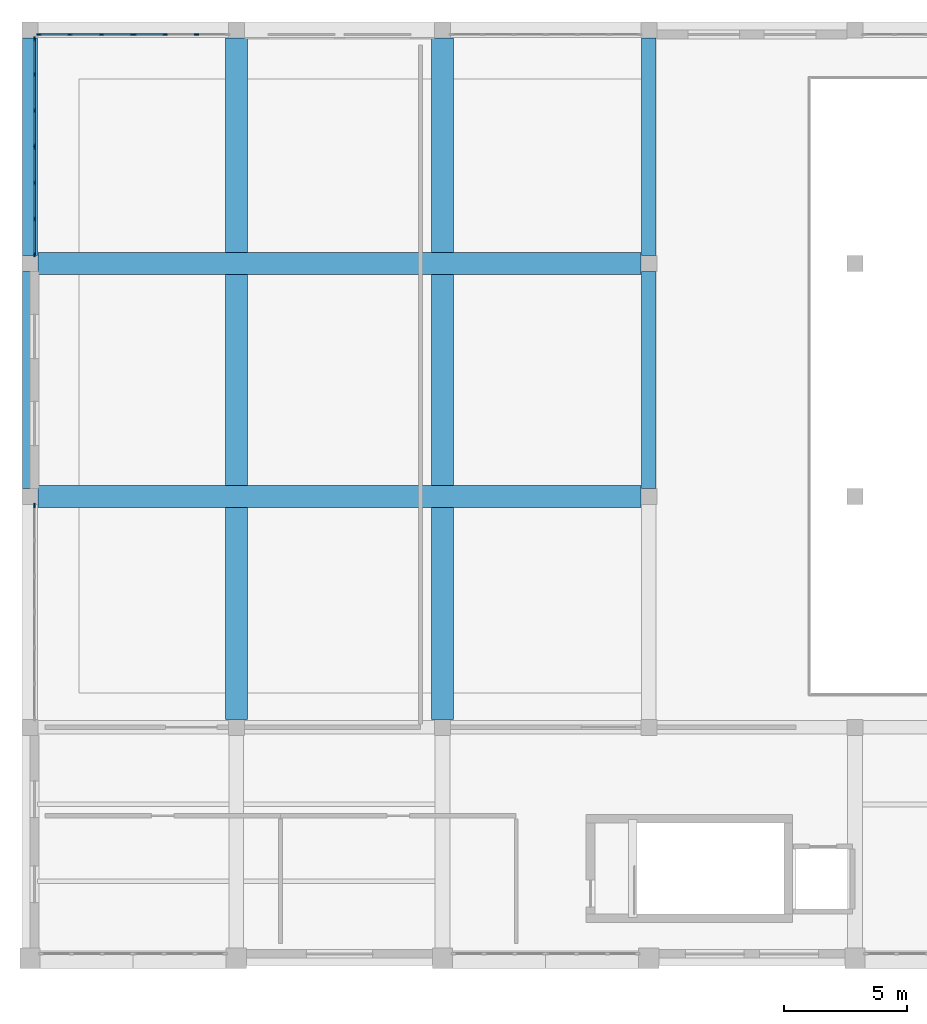
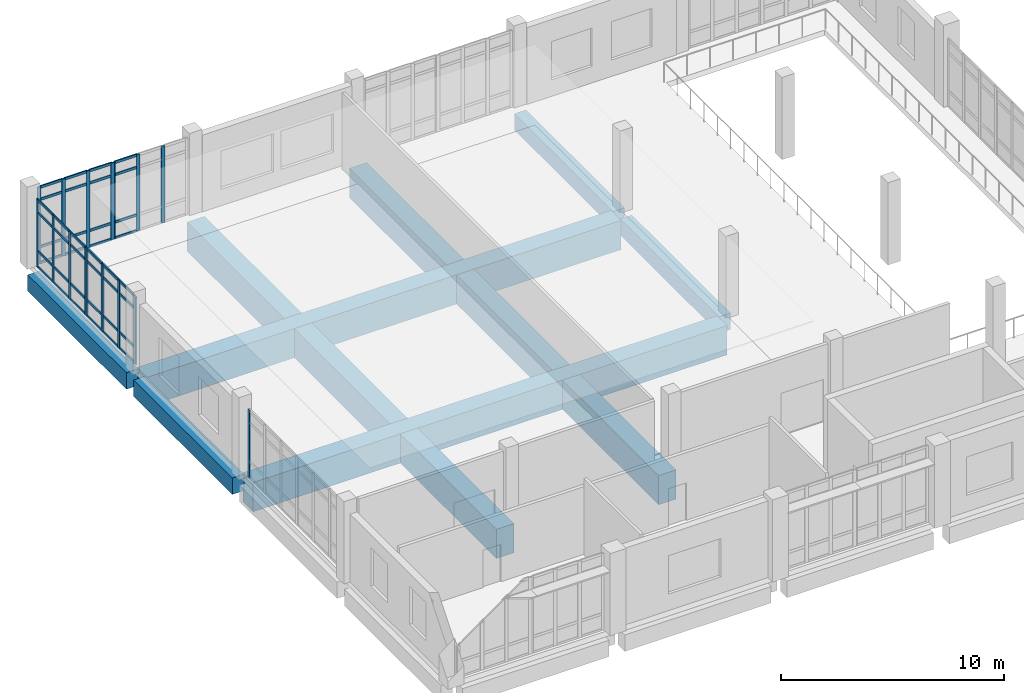
# One storey, part 16 of 54: 56 members, 8 beams, 5 elements without a shape of their own.
"""IFC4 building model written with IfcOpenShell, lengths in metres."""

from ifc_helpers import new_model, si_unit, direction, frame, origin, origin_2d, place, context, subcontext, project, spatial, rectangle, extrude, material, layer, layer_set, material_profile, profile_set, type_object, element, aggregate, save


model = new_model("IFC4")

# Units and contexts
model_context = context("Model", 3, precision=1e-05, world=origin(), true_north=direction((0.0, 1.0)))
body_context = subcontext(model_context, "Body", "Model", "MODEL_VIEW")
ifc_project = project(units=[si_unit("LENGTHUNIT", "METRE"), si_unit("AREAUNIT", "SQUARE_METRE"), si_unit("VOLUMEUNIT", "CUBIC_METRE"), si_unit("PLANEANGLEUNIT", "RADIAN"), si_unit("MASSUNIT", "GRAM", prefix="KILO")], contexts=[model_context])

# Site, building, storey
site_placement = place(None, origin())
site = spatial("IfcSite", under=ifc_project, at=site_placement, CompositionType="ELEMENT")
building_placement = place(site_placement, origin())
building = spatial("IfcBuilding", under=site, at=building_placement, Name="Kelarvand Opera House", CompositionType="ELEMENT")
storey_placement = place(building_placement, frame((0.0, 0.0, 15.0)))
storey = spatial("IfcBuildingStorey", under=building, at=storey_placement, Name="L03", CompositionType="ELEMENT", Elevation=15.0)

# Curtain wall, members
ifc_material_1 = material(Name="Thermally broken aluminium and low-E glazing", Category="aluminium")
ifc_layer_1 = layer(ifc_material_1, 0.179931640625, Name="Thermally broken aluminium and low-E glazing", Category="aluminium")
ifc_layer_set_1 = layer_set([ifc_layer_1], Name="Thermally broken aluminium and low-E glazing")
curtain_wall_type_1 = type_object("IfcCurtainWallType", Name="Unitised Low-E Curtain Wall 3861x4200 Mod 1350 CWF-12", PredefinedType="USERDEFINED", material=ifc_layer_set_1)
curtain_wall_1_placement = place(storey_placement, origin())
curtain_wall_1 = element("IfcCurtainWall", 1, at=curtain_wall_1_placement, inside=storey, type_object=curtain_wall_type_1, Name="V3 L03 Curtain Wall CWF-12 (91)", ObjectType="UNITISED CURTAIN WALL", PredefinedType="USERDEFINED")
ifc_material_2 = material(Name="Thermally broken anodised aluminium", Category="aluminium")
ifc_material_profile_1 = material_profile(ifc_material_2, rectangle(XDim=0.06494140625, YDim=0.179931640625, at=origin_2d()), Name="ALU MULLION 65x180", Category="aluminium")
ifc_profile_set_1 = profile_set([ifc_material_profile_1], Name="Thermally broken anodised aluminium")
member_type_1 = type_object("IfcMemberType", Name="Curtain Wall Mullion 65x180 Aluminium", PredefinedType="MULLION", material=ifc_profile_set_1)
member_1_placement = place(storey_placement, frame((9.367431640625, 124.820068359375, 0.0), z_axis=(0.0, 0.0, 1.0), x_axis=(0.0, 1.0, 0.0)))
member_1 = element("IfcMember", 2, at=member_1_placement, type_object=member_type_1, Name="CWF-12 mullion 1", PredefinedType="MULLION", context=body_context, shape_type="SweptSolid", body=[
    extrude(rectangle(XDim=0.06494140625, YDim=0.179931640625, at=origin_2d()), origin(), (0.0, 0.0, 1.0), 4.199951171875),
])
member_2_placement = place(storey_placement, frame((10.6220703125, 124.820068359375, 0.0), z_axis=(0.0, 0.0, 1.0), x_axis=(0.0, 1.0, 0.0)))
member_2 = element("IfcMember", 3, at=member_2_placement, type_object=member_type_1, Name="CWF-12 mullion 2", PredefinedType="MULLION", context=body_context, shape_type="SweptSolid", body=[
    extrude(rectangle(XDim=0.06494140625, YDim=0.179931640625, at=origin_2d()), origin(), (0.0, 0.0, 1.0), 4.199951171875),
])
member_3_placement = place(storey_placement, frame((11.908935546875, 124.820068359375, 0.0), z_axis=(0.0, 0.0, 1.0), x_axis=(0.0, 1.0, 0.0)))
member_3 = element("IfcMember", 4, at=member_3_placement, type_object=member_type_1, Name="CWF-12 mullion 3", PredefinedType="MULLION", context=body_context, shape_type="SweptSolid", body=[
    extrude(rectangle(XDim=0.06494140625, YDim=0.179931640625, at=origin_2d()), origin(), (0.0, 0.0, 1.0), 4.199951171875),
])
member_4_placement = place(storey_placement, frame((13.16357421875, 124.820068359375, 0.0), z_axis=(0.0, 0.0, 1.0), x_axis=(0.0, 1.0, 0.0)))
member_4 = element("IfcMember", 5, at=member_4_placement, type_object=member_type_1, Name="CWF-12 mullion 4", PredefinedType="MULLION", context=body_context, shape_type="SweptSolid", body=[
    extrude(rectangle(XDim=0.06494140625, YDim=0.179931640625, at=origin_2d()), origin(), (0.0, 0.0, 1.0), 4.199951171875),
])

curtain_wall_2_placement = place(storey_placement, origin())
curtain_wall_2 = element("IfcCurtainWall", 6, at=curtain_wall_2_placement, inside=storey, type_object=curtain_wall_type_1, Name="V3 L03 Curtain Wall CWF-12 (92)", ObjectType="UNITISED CURTAIN WALL", PredefinedType="USERDEFINED")
member_5_placement = place(storey_placement, frame((13.232421875, 124.820068359375, 0.0), z_axis=(0.0, 0.0, 1.0), x_axis=(0.0, 1.0, 0.0)))
member_5 = element("IfcMember", 7, at=member_5_placement, type_object=member_type_1, Name="CWF-12 mullion 1", PredefinedType="MULLION", context=body_context, shape_type="SweptSolid", body=[
    extrude(rectangle(XDim=0.06494140625, YDim=0.179931640625, at=origin_2d()), origin(), (0.0, 0.0, 1.0), 4.199951171875),
])
member_6_placement = place(storey_placement, frame((14.48828125, 124.820068359375, 0.0), z_axis=(0.0, 0.0, 1.0), x_axis=(0.0, 1.0, 0.0)))
member_6 = element("IfcMember", 8, at=member_6_placement, type_object=member_type_1, Name="CWF-12 mullion 2", PredefinedType="MULLION", context=body_context, shape_type="SweptSolid", body=[
    extrude(rectangle(XDim=0.06494140625, YDim=0.179931640625, at=origin_2d()), origin(), (0.0, 0.0, 1.0), 4.199951171875),
])
member_7_placement = place(storey_placement, frame((15.776611328125, 124.820068359375, 0.0), z_axis=(0.0, 0.0, 1.0), x_axis=(0.0, 1.0, 0.0)))
member_7 = element("IfcMember", 9, at=member_7_placement, type_object=member_type_1, Name="CWF-12 mullion 3", PredefinedType="MULLION", context=body_context, shape_type="SweptSolid", body=[
    extrude(rectangle(XDim=0.06494140625, YDim=0.179931640625, at=origin_2d()), origin(), (0.0, 0.0, 1.0), 4.199951171875),
])

# Curtain wall, member
ifc_layer_2 = layer(ifc_material_1, 0.179931640625, Name="Thermally broken aluminium and low-E glazing", Category="aluminium")
ifc_layer_set_2 = layer_set([ifc_layer_2], Name="Thermally broken aluminium and low-E glazing")
curtain_wall_type_2 = type_object("IfcCurtainWallType", Name="Unitised Low-E Curtain Wall 4326x3717 Mod 1350 CWF-20", PredefinedType="USERDEFINED", material=ifc_layer_set_2)
curtain_wall_3_placement = place(storey_placement, origin())
curtain_wall_3 = element("IfcCurtainWall", 10, at=curtain_wall_3_placement, inside=storey, type_object=curtain_wall_type_2, Name="V3 L03 Curtain Wall CWF-20 (98)", ObjectType="UNITISED CURTAIN WALL", PredefinedType="USERDEFINED")
member_8_placement = place(storey_placement, frame((9.179931640625, 105.632568359375, 0.0), z_axis=(0.0, 0.0, 1.0), x_axis=(-1.0, 0.0, 0.0)))
member_8 = element("IfcMember", 11, at=member_8_placement, type_object=member_type_1, Name="CWF-20 mullion 4", PredefinedType="MULLION", context=body_context, shape_type="SweptSolid", body=[
    extrude(rectangle(XDim=0.06494140625, YDim=0.179931640625, at=origin_2d()), origin(), (0.0, 0.0, 1.0), 3.71728515625),
])
aggregate(curtain_wall_3, [member_8])

# Curtain wall, members
ifc_layer_3 = layer(ifc_material_1, 0.179931640625, Name="Thermally broken aluminium and low-E glazing", Category="aluminium")
ifc_layer_set_3 = layer_set([ifc_layer_3], Name="Thermally broken aluminium and low-E glazing")
curtain_wall_type_3 = type_object("IfcCurtainWallType", Name="Unitised Low-E Curtain Wall 4411x3717 Mod 1350 CWF-22", PredefinedType="USERDEFINED", material=ifc_layer_set_3)
curtain_wall_4_placement = place(storey_placement, origin())
curtain_wall_4 = element("IfcCurtainWall", 12, at=curtain_wall_4_placement, inside=storey, type_object=curtain_wall_type_3, Name="V3 L03 Curtain Wall CWF-22 (99)", ObjectType="UNITISED CURTAIN WALL", PredefinedType="USERDEFINED")
member_9_placement = place(storey_placement, frame((9.179931640625, 115.867431640625, 0.0), z_axis=(0.0, 0.0, 1.0), x_axis=(-1.0, 0.0, 0.0)))
member_9 = element("IfcMember", 13, at=member_9_placement, type_object=member_type_1, Name="CWF-22 mullion 1", PredefinedType="MULLION", context=body_context, shape_type="SweptSolid", body=[
    extrude(rectangle(XDim=0.06494140625, YDim=0.179931640625, at=origin_2d()), origin(), (0.0, 0.0, 1.0), 3.71728515625),
])
member_10_placement = place(storey_placement, frame((9.179931640625, 117.305419921875, 0.0), z_axis=(0.0, 0.0, 1.0), x_axis=(-1.0, 0.0, 0.0)))
member_10 = element("IfcMember", 14, at=member_10_placement, type_object=member_type_1, Name="CWF-22 mullion 2", PredefinedType="MULLION", context=body_context, shape_type="SweptSolid", body=[
    extrude(rectangle(XDim=0.06494140625, YDim=0.179931640625, at=origin_2d()), origin(), (0.0, 0.0, 1.0), 3.71728515625),
])
member_11_placement = place(storey_placement, frame((9.179931640625, 118.775634765625, 0.0), z_axis=(0.0, 0.0, 1.0), x_axis=(-1.0, 0.0, 0.0)))
member_11 = element("IfcMember", 15, at=member_11_placement, type_object=member_type_1, Name="CWF-22 mullion 3", PredefinedType="MULLION", context=body_context, shape_type="SweptSolid", body=[
    extrude(rectangle(XDim=0.06494140625, YDim=0.179931640625, at=origin_2d()), origin(), (0.0, 0.0, 1.0), 3.71728515625),
])
member_12_placement = place(storey_placement, frame((9.179931640625, 120.21337890625, 0.0), z_axis=(0.0, 0.0, 1.0), x_axis=(-1.0, 0.0, 0.0)))
member_12 = element("IfcMember", 16, at=member_12_placement, type_object=member_type_1, Name="CWF-22 mullion 4", PredefinedType="MULLION", context=body_context, shape_type="SweptSolid", body=[
    extrude(rectangle(XDim=0.06494140625, YDim=0.179931640625, at=origin_2d()), origin(), (0.0, 0.0, 1.0), 3.71728515625),
])

curtain_wall_5_placement = place(storey_placement, origin())
curtain_wall_5 = element("IfcCurtainWall", 17, at=curtain_wall_5_placement, inside=storey, type_object=curtain_wall_type_3, Name="V3 L03 Curtain Wall CWF-22 (100)", ObjectType="UNITISED CURTAIN WALL", PredefinedType="USERDEFINED")
member_13_placement = place(storey_placement, frame((9.179931640625, 120.282470703125, 0.0), z_axis=(0.0, 0.0, 1.0), x_axis=(-1.0, 0.0, 0.0)))
member_13 = element("IfcMember", 18, at=member_13_placement, type_object=member_type_1, Name="CWF-22 mullion 1", PredefinedType="MULLION", context=body_context, shape_type="SweptSolid", body=[
    extrude(rectangle(XDim=0.06494140625, YDim=0.179931640625, at=origin_2d()), origin(), (0.0, 0.0, 1.0), 3.71728515625),
])
member_14_placement = place(storey_placement, frame((9.179931640625, 121.7216796875, 0.0), z_axis=(0.0, 0.0, 1.0), x_axis=(-1.0, 0.0, 0.0)))
member_14 = element("IfcMember", 19, at=member_14_placement, type_object=member_type_1, Name="CWF-22 mullion 2", PredefinedType="MULLION", context=body_context, shape_type="SweptSolid", body=[
    extrude(rectangle(XDim=0.06494140625, YDim=0.179931640625, at=origin_2d()), origin(), (0.0, 0.0, 1.0), 3.71728515625),
])
member_15_placement = place(storey_placement, frame((9.179931640625, 123.193359375, 0.0), z_axis=(0.0, 0.0, 1.0), x_axis=(-1.0, 0.0, 0.0)))
member_15 = element("IfcMember", 20, at=member_15_placement, type_object=member_type_1, Name="CWF-22 mullion 3", PredefinedType="MULLION", context=body_context, shape_type="SweptSolid", body=[
    extrude(rectangle(XDim=0.06494140625, YDim=0.179931640625, at=origin_2d()), origin(), (0.0, 0.0, 1.0), 3.71728515625),
])
member_16_placement = place(storey_placement, frame((9.179931640625, 124.632568359375, 0.0), z_axis=(0.0, 0.0, 1.0), x_axis=(-1.0, 0.0, 0.0)))
member_16 = element("IfcMember", 21, at=member_16_placement, type_object=member_type_1, Name="CWF-22 mullion 4", PredefinedType="MULLION", context=body_context, shape_type="SweptSolid", body=[
    extrude(rectangle(XDim=0.06494140625, YDim=0.179931640625, at=origin_2d()), origin(), (0.0, 0.0, 1.0), 3.71728515625),
])

# Member
ifc_material_profile_2 = material_profile(ifc_material_2, rectangle(XDim=0.06494140625, YDim=0.139892578125, at=origin_2d()), Name="ALU TRANSOM 65x140", Category="aluminium")
ifc_profile_set_2 = profile_set([ifc_material_profile_2], Name="Thermally broken anodised aluminium")
member_type_2 = type_object("IfcMemberType", Name="Curtain Wall Transom 65x140 Aluminium", PredefinedType="USERDEFINED", material=ifc_profile_set_2)
member_17_placement = place(storey_placement, frame((9.39990234375, 124.820068359375, 0.032470703125), z_axis=(1.0, 0.0, 0.0), x_axis=(0.0, 1.0, 0.0)))
member_17 = element("IfcMember", 22, at=member_17_placement, type_object=member_type_2, Name="CWF-12 transom 1.1", ObjectType="TRANSOM", PredefinedType="USERDEFINED", context=body_context, shape_type="SweptSolid", body=[
    extrude(rectangle(XDim=0.06494140625, YDim=0.139892578125, at=origin_2d()), origin(), (0.0, 0.0, 1.0), 1.189697265625),
])

member_18_placement = place(storey_placement, frame((9.39990234375, 124.820068359375, 0.89990234375), z_axis=(1.0, 0.0, 0.0), x_axis=(0.0, 1.0, 0.0)))
member_18 = element("IfcMember", 23, at=member_18_placement, type_object=member_type_2, Name="CWF-12 transom 1.2", ObjectType="TRANSOM", PredefinedType="USERDEFINED", context=body_context, shape_type="SweptSolid", body=[
    extrude(rectangle(XDim=0.06494140625, YDim=0.139892578125, at=origin_2d()), origin(), (0.0, 0.0, 1.0), 1.189697265625),
])

member_19_placement = place(storey_placement, frame((9.39990234375, 124.820068359375, 3.5), z_axis=(1.0, 0.0, 0.0), x_axis=(0.0, 1.0, 0.0)))
member_19 = element("IfcMember", 24, at=member_19_placement, type_object=member_type_2, Name="CWF-12 transom 1.3", ObjectType="TRANSOM", PredefinedType="USERDEFINED", context=body_context, shape_type="SweptSolid", body=[
    extrude(rectangle(XDim=0.06494140625, YDim=0.139892578125, at=origin_2d()), origin(), (0.0, 0.0, 1.0), 1.189697265625),
])

member_20_placement = place(storey_placement, frame((9.39990234375, 124.820068359375, 4.16748046875), z_axis=(1.0, 0.0, 0.0), x_axis=(0.0, 1.0, 0.0)))
member_20 = element("IfcMember", 25, at=member_20_placement, type_object=member_type_2, Name="CWF-12 transom 1.4", ObjectType="TRANSOM", PredefinedType="USERDEFINED", context=body_context, shape_type="SweptSolid", body=[
    extrude(rectangle(XDim=0.06494140625, YDim=0.139892578125, at=origin_2d()), origin(), (0.0, 0.0, 1.0), 1.189697265625),
])

member_21_placement = place(storey_placement, frame((10.654541015625, 124.820068359375, 0.032470703125), z_axis=(1.0, 0.0, 0.0), x_axis=(0.0, 1.0, 0.0)))
member_21 = element("IfcMember", 26, at=member_21_placement, type_object=member_type_2, Name="CWF-12 transom 2.1", ObjectType="TRANSOM", PredefinedType="USERDEFINED", context=body_context, shape_type="SweptSolid", body=[
    extrude(rectangle(XDim=0.06494140625, YDim=0.139892578125, at=origin_2d()), origin(), (0.0, 0.0, 1.0), 1.221923828125),
])

member_22_placement = place(storey_placement, frame((10.654541015625, 124.820068359375, 0.89990234375), z_axis=(1.0, 0.0, 0.0), x_axis=(0.0, 1.0, 0.0)))
member_22 = element("IfcMember", 27, at=member_22_placement, type_object=member_type_2, Name="CWF-12 transom 2.2", ObjectType="TRANSOM", PredefinedType="USERDEFINED", context=body_context, shape_type="SweptSolid", body=[
    extrude(rectangle(XDim=0.06494140625, YDim=0.139892578125, at=origin_2d()), origin(), (0.0, 0.0, 1.0), 1.221923828125),
])

member_23_placement = place(storey_placement, frame((10.654541015625, 124.820068359375, 3.5), z_axis=(1.0, 0.0, 0.0), x_axis=(0.0, 1.0, 0.0)))
member_23 = element("IfcMember", 28, at=member_23_placement, type_object=member_type_2, Name="CWF-12 transom 2.3", ObjectType="TRANSOM", PredefinedType="USERDEFINED", context=body_context, shape_type="SweptSolid", body=[
    extrude(rectangle(XDim=0.06494140625, YDim=0.139892578125, at=origin_2d()), origin(), (0.0, 0.0, 1.0), 1.221923828125),
])

member_24_placement = place(storey_placement, frame((10.654541015625, 124.820068359375, 4.16748046875), z_axis=(1.0, 0.0, 0.0), x_axis=(0.0, 1.0, 0.0)))
member_24 = element("IfcMember", 29, at=member_24_placement, type_object=member_type_2, Name="CWF-12 transom 2.4", ObjectType="TRANSOM", PredefinedType="USERDEFINED", context=body_context, shape_type="SweptSolid", body=[
    extrude(rectangle(XDim=0.06494140625, YDim=0.139892578125, at=origin_2d()), origin(), (0.0, 0.0, 1.0), 1.221923828125),
])

member_25_placement = place(storey_placement, frame((11.94140625, 124.820068359375, 0.032470703125), z_axis=(1.0, 0.0, 0.0), x_axis=(0.0, 1.0, 0.0)))
member_25 = element("IfcMember", 30, at=member_25_placement, type_object=member_type_2, Name="CWF-12 transom 3.1", ObjectType="TRANSOM", PredefinedType="USERDEFINED", context=body_context, shape_type="SweptSolid", body=[
    extrude(rectangle(XDim=0.06494140625, YDim=0.139892578125, at=origin_2d()), origin(), (0.0, 0.0, 1.0), 1.189697265625),
])

member_26_placement = place(storey_placement, frame((11.94140625, 124.820068359375, 0.89990234375), z_axis=(1.0, 0.0, 0.0), x_axis=(0.0, 1.0, 0.0)))
member_26 = element("IfcMember", 31, at=member_26_placement, type_object=member_type_2, Name="CWF-12 transom 3.2", ObjectType="TRANSOM", PredefinedType="USERDEFINED", context=body_context, shape_type="SweptSolid", body=[
    extrude(rectangle(XDim=0.06494140625, YDim=0.139892578125, at=origin_2d()), origin(), (0.0, 0.0, 1.0), 1.189697265625),
])

member_27_placement = place(storey_placement, frame((11.94140625, 124.820068359375, 3.5), z_axis=(1.0, 0.0, 0.0), x_axis=(0.0, 1.0, 0.0)))
member_27 = element("IfcMember", 32, at=member_27_placement, type_object=member_type_2, Name="CWF-12 transom 3.3", ObjectType="TRANSOM", PredefinedType="USERDEFINED", context=body_context, shape_type="SweptSolid", body=[
    extrude(rectangle(XDim=0.06494140625, YDim=0.139892578125, at=origin_2d()), origin(), (0.0, 0.0, 1.0), 1.189697265625),
])

member_28_placement = place(storey_placement, frame((11.94140625, 124.820068359375, 4.16748046875), z_axis=(1.0, 0.0, 0.0), x_axis=(0.0, 1.0, 0.0)))
member_28 = element("IfcMember", 33, at=member_28_placement, type_object=member_type_2, Name="CWF-12 transom 3.4", ObjectType="TRANSOM", PredefinedType="USERDEFINED", context=body_context, shape_type="SweptSolid", body=[
    extrude(rectangle(XDim=0.06494140625, YDim=0.139892578125, at=origin_2d()), origin(), (0.0, 0.0, 1.0), 1.189697265625),
])

aggregate(curtain_wall_1, [member_1, member_2, member_3, member_4, member_17, member_18, member_19, member_20, member_21, member_22, member_23, member_24, member_25, member_26, member_27, member_28])

member_29_placement = place(storey_placement, frame((13.264892578125, 124.820068359375, 0.032470703125), z_axis=(1.0, 0.0, 0.0), x_axis=(0.0, 1.0, 0.0)))
member_29 = element("IfcMember", 34, at=member_29_placement, type_object=member_type_2, Name="CWF-12 transom 1.1", ObjectType="TRANSOM", PredefinedType="USERDEFINED", context=body_context, shape_type="SweptSolid", body=[
    extrude(rectangle(XDim=0.06494140625, YDim=0.139892578125, at=origin_2d()), origin(), (0.0, 0.0, 1.0), 1.19091796875),
])

member_30_placement = place(storey_placement, frame((13.264892578125, 124.820068359375, 0.89990234375), z_axis=(1.0, 0.0, 0.0), x_axis=(0.0, 1.0, 0.0)))
member_30 = element("IfcMember", 35, at=member_30_placement, type_object=member_type_2, Name="CWF-12 transom 1.2", ObjectType="TRANSOM", PredefinedType="USERDEFINED", context=body_context, shape_type="SweptSolid", body=[
    extrude(rectangle(XDim=0.06494140625, YDim=0.139892578125, at=origin_2d()), origin(), (0.0, 0.0, 1.0), 1.19091796875),
])

member_31_placement = place(storey_placement, frame((13.264892578125, 124.820068359375, 3.5), z_axis=(1.0, 0.0, 0.0), x_axis=(0.0, 1.0, 0.0)))
member_31 = element("IfcMember", 36, at=member_31_placement, type_object=member_type_2, Name="CWF-12 transom 1.3", ObjectType="TRANSOM", PredefinedType="USERDEFINED", context=body_context, shape_type="SweptSolid", body=[
    extrude(rectangle(XDim=0.06494140625, YDim=0.139892578125, at=origin_2d()), origin(), (0.0, 0.0, 1.0), 1.19091796875),
])

member_32_placement = place(storey_placement, frame((13.264892578125, 124.820068359375, 4.16748046875), z_axis=(1.0, 0.0, 0.0), x_axis=(0.0, 1.0, 0.0)))
member_32 = element("IfcMember", 37, at=member_32_placement, type_object=member_type_2, Name="CWF-12 transom 1.4", ObjectType="TRANSOM", PredefinedType="USERDEFINED", context=body_context, shape_type="SweptSolid", body=[
    extrude(rectangle(XDim=0.06494140625, YDim=0.139892578125, at=origin_2d()), origin(), (0.0, 0.0, 1.0), 1.19091796875),
])

aggregate(curtain_wall_2, [member_5, member_6, member_7, member_29, member_30, member_31, member_32])

member_33_placement = place(storey_placement, frame((9.179931640625, 115.89990234375, 0.032470703125), z_axis=(0.0, 1.0, 0.0), x_axis=(-1.0, 0.0, 0.0)))
member_33 = element("IfcMember", 38, at=member_33_placement, type_object=member_type_2, Name="CWF-22 transom 1.1", ObjectType="TRANSOM", PredefinedType="USERDEFINED", context=body_context, shape_type="SweptSolid", body=[
    extrude(rectangle(XDim=0.06494140625, YDim=0.139892578125, at=origin_2d()), origin(), (0.0, 0.0, 1.0), 1.373046875),
])

member_34_placement = place(storey_placement, frame((9.179931640625, 115.89990234375, 0.89990234375), z_axis=(0.0, 1.0, 0.0), x_axis=(-1.0, 0.0, 0.0)))
member_34 = element("IfcMember", 39, at=member_34_placement, type_object=member_type_2, Name="CWF-22 transom 1.2", ObjectType="TRANSOM", PredefinedType="USERDEFINED", context=body_context, shape_type="SweptSolid", body=[
    extrude(rectangle(XDim=0.06494140625, YDim=0.139892578125, at=origin_2d()), origin(), (0.0, 0.0, 1.0), 1.373046875),
])

member_35_placement = place(storey_placement, frame((9.179931640625, 115.89990234375, 3.01708984375), z_axis=(0.0, 1.0, 0.0), x_axis=(-1.0, 0.0, 0.0)))
member_35 = element("IfcMember", 40, at=member_35_placement, type_object=member_type_2, Name="CWF-22 transom 1.3", ObjectType="TRANSOM", PredefinedType="USERDEFINED", context=body_context, shape_type="SweptSolid", body=[
    extrude(rectangle(XDim=0.06494140625, YDim=0.139892578125, at=origin_2d()), origin(), (0.0, 0.0, 1.0), 1.373046875),
])

member_36_placement = place(storey_placement, frame((9.179931640625, 115.89990234375, 3.684814453125), z_axis=(0.0, 1.0, 0.0), x_axis=(-1.0, 0.0, 0.0)))
member_36 = element("IfcMember", 41, at=member_36_placement, type_object=member_type_2, Name="CWF-22 transom 1.4", ObjectType="TRANSOM", PredefinedType="USERDEFINED", context=body_context, shape_type="SweptSolid", body=[
    extrude(rectangle(XDim=0.06494140625, YDim=0.139892578125, at=origin_2d()), origin(), (0.0, 0.0, 1.0), 1.373046875),
])

member_37_placement = place(storey_placement, frame((9.179931640625, 117.337890625, 0.032470703125), z_axis=(0.0, 1.0, 0.0), x_axis=(-1.0, 0.0, 0.0)))
member_37 = element("IfcMember", 42, at=member_37_placement, type_object=member_type_2, Name="CWF-22 transom 2.1", ObjectType="TRANSOM", PredefinedType="USERDEFINED", context=body_context, shape_type="SweptSolid", body=[
    extrude(rectangle(XDim=0.06494140625, YDim=0.139892578125, at=origin_2d()), origin(), (0.0, 0.0, 1.0), 1.4052734375),
])

member_38_placement = place(storey_placement, frame((9.179931640625, 117.337890625, 0.89990234375), z_axis=(0.0, 1.0, 0.0), x_axis=(-1.0, 0.0, 0.0)))
member_38 = element("IfcMember", 43, at=member_38_placement, type_object=member_type_2, Name="CWF-22 transom 2.2", ObjectType="TRANSOM", PredefinedType="USERDEFINED", context=body_context, shape_type="SweptSolid", body=[
    extrude(rectangle(XDim=0.06494140625, YDim=0.139892578125, at=origin_2d()), origin(), (0.0, 0.0, 1.0), 1.4052734375),
])

member_39_placement = place(storey_placement, frame((9.179931640625, 117.337890625, 3.01708984375), z_axis=(0.0, 1.0, 0.0), x_axis=(-1.0, 0.0, 0.0)))
member_39 = element("IfcMember", 44, at=member_39_placement, type_object=member_type_2, Name="CWF-22 transom 2.3", ObjectType="TRANSOM", PredefinedType="USERDEFINED", context=body_context, shape_type="SweptSolid", body=[
    extrude(rectangle(XDim=0.06494140625, YDim=0.139892578125, at=origin_2d()), origin(), (0.0, 0.0, 1.0), 1.4052734375),
])

member_40_placement = place(storey_placement, frame((9.179931640625, 117.337890625, 3.684814453125), z_axis=(0.0, 1.0, 0.0), x_axis=(-1.0, 0.0, 0.0)))
member_40 = element("IfcMember", 45, at=member_40_placement, type_object=member_type_2, Name="CWF-22 transom 2.4", ObjectType="TRANSOM", PredefinedType="USERDEFINED", context=body_context, shape_type="SweptSolid", body=[
    extrude(rectangle(XDim=0.06494140625, YDim=0.139892578125, at=origin_2d()), origin(), (0.0, 0.0, 1.0), 1.4052734375),
])

member_41_placement = place(storey_placement, frame((9.179931640625, 118.80810546875, 0.032470703125), z_axis=(0.0, 1.0, 0.0), x_axis=(-1.0, 0.0, 0.0)))
member_41 = element("IfcMember", 46, at=member_41_placement, type_object=member_type_2, Name="CWF-22 transom 3.1", ObjectType="TRANSOM", PredefinedType="USERDEFINED", context=body_context, shape_type="SweptSolid", body=[
    extrude(rectangle(XDim=0.06494140625, YDim=0.139892578125, at=origin_2d()), origin(), (0.0, 0.0, 1.0), 1.372802734375),
])

member_42_placement = place(storey_placement, frame((9.179931640625, 118.80810546875, 0.89990234375), z_axis=(0.0, 1.0, 0.0), x_axis=(-1.0, 0.0, 0.0)))
member_42 = element("IfcMember", 47, at=member_42_placement, type_object=member_type_2, Name="CWF-22 transom 3.2", ObjectType="TRANSOM", PredefinedType="USERDEFINED", context=body_context, shape_type="SweptSolid", body=[
    extrude(rectangle(XDim=0.06494140625, YDim=0.139892578125, at=origin_2d()), origin(), (0.0, 0.0, 1.0), 1.372802734375),
])

member_43_placement = place(storey_placement, frame((9.179931640625, 118.80810546875, 3.01708984375), z_axis=(0.0, 1.0, 0.0), x_axis=(-1.0, 0.0, 0.0)))
member_43 = element("IfcMember", 48, at=member_43_placement, type_object=member_type_2, Name="CWF-22 transom 3.3", ObjectType="TRANSOM", PredefinedType="USERDEFINED", context=body_context, shape_type="SweptSolid", body=[
    extrude(rectangle(XDim=0.06494140625, YDim=0.139892578125, at=origin_2d()), origin(), (0.0, 0.0, 1.0), 1.372802734375),
])

member_44_placement = place(storey_placement, frame((9.179931640625, 118.80810546875, 3.684814453125), z_axis=(0.0, 1.0, 0.0), x_axis=(-1.0, 0.0, 0.0)))
member_44 = element("IfcMember", 49, at=member_44_placement, type_object=member_type_2, Name="CWF-22 transom 3.4", ObjectType="TRANSOM", PredefinedType="USERDEFINED", context=body_context, shape_type="SweptSolid", body=[
    extrude(rectangle(XDim=0.06494140625, YDim=0.139892578125, at=origin_2d()), origin(), (0.0, 0.0, 1.0), 1.372802734375),
])

aggregate(curtain_wall_4, [member_9, member_10, member_11, member_12, member_33, member_34, member_35, member_36, member_37, member_38, member_39, member_40, member_41, member_42, member_43, member_44])

member_45_placement = place(storey_placement, frame((9.179931640625, 120.31494140625, 0.032470703125), z_axis=(0.0, 1.0, 0.0), x_axis=(-1.0, 0.0, 0.0)))
member_45 = element("IfcMember", 50, at=member_45_placement, type_object=member_type_2, Name="CWF-22 transom 1.1", ObjectType="TRANSOM", PredefinedType="USERDEFINED", context=body_context, shape_type="SweptSolid", body=[
    extrude(rectangle(XDim=0.06494140625, YDim=0.139892578125, at=origin_2d()), origin(), (0.0, 0.0, 1.0), 1.374267578125),
])

member_46_placement = place(storey_placement, frame((9.179931640625, 120.31494140625, 0.89990234375), z_axis=(0.0, 1.0, 0.0), x_axis=(-1.0, 0.0, 0.0)))
member_46 = element("IfcMember", 51, at=member_46_placement, type_object=member_type_2, Name="CWF-22 transom 1.2", ObjectType="TRANSOM", PredefinedType="USERDEFINED", context=body_context, shape_type="SweptSolid", body=[
    extrude(rectangle(XDim=0.06494140625, YDim=0.139892578125, at=origin_2d()), origin(), (0.0, 0.0, 1.0), 1.374267578125),
])

member_47_placement = place(storey_placement, frame((9.179931640625, 120.31494140625, 3.01708984375), z_axis=(0.0, 1.0, 0.0), x_axis=(-1.0, 0.0, 0.0)))
member_47 = element("IfcMember", 52, at=member_47_placement, type_object=member_type_2, Name="CWF-22 transom 1.3", ObjectType="TRANSOM", PredefinedType="USERDEFINED", context=body_context, shape_type="SweptSolid", body=[
    extrude(rectangle(XDim=0.06494140625, YDim=0.139892578125, at=origin_2d()), origin(), (0.0, 0.0, 1.0), 1.374267578125),
])

member_48_placement = place(storey_placement, frame((9.179931640625, 120.31494140625, 3.684814453125), z_axis=(0.0, 1.0, 0.0), x_axis=(-1.0, 0.0, 0.0)))
member_48 = element("IfcMember", 53, at=member_48_placement, type_object=member_type_2, Name="CWF-22 transom 1.4", ObjectType="TRANSOM", PredefinedType="USERDEFINED", context=body_context, shape_type="SweptSolid", body=[
    extrude(rectangle(XDim=0.06494140625, YDim=0.139892578125, at=origin_2d()), origin(), (0.0, 0.0, 1.0), 1.374267578125),
])

member_49_placement = place(storey_placement, frame((9.179931640625, 121.754150390625, 0.032470703125), z_axis=(0.0, 1.0, 0.0), x_axis=(-1.0, 0.0, 0.0)))
member_49 = element("IfcMember", 54, at=member_49_placement, type_object=member_type_2, Name="CWF-22 transom 2.1", ObjectType="TRANSOM", PredefinedType="USERDEFINED", context=body_context, shape_type="SweptSolid", body=[
    extrude(rectangle(XDim=0.06494140625, YDim=0.139892578125, at=origin_2d()), origin(), (0.0, 0.0, 1.0), 1.40673828125),
])

member_50_placement = place(storey_placement, frame((9.179931640625, 121.754150390625, 0.89990234375), z_axis=(0.0, 1.0, 0.0), x_axis=(-1.0, 0.0, 0.0)))
member_50 = element("IfcMember", 55, at=member_50_placement, type_object=member_type_2, Name="CWF-22 transom 2.2", ObjectType="TRANSOM", PredefinedType="USERDEFINED", context=body_context, shape_type="SweptSolid", body=[
    extrude(rectangle(XDim=0.06494140625, YDim=0.139892578125, at=origin_2d()), origin(), (0.0, 0.0, 1.0), 1.40673828125),
])

member_51_placement = place(storey_placement, frame((9.179931640625, 121.754150390625, 3.01708984375), z_axis=(0.0, 1.0, 0.0), x_axis=(-1.0, 0.0, 0.0)))
member_51 = element("IfcMember", 56, at=member_51_placement, type_object=member_type_2, Name="CWF-22 transom 2.3", ObjectType="TRANSOM", PredefinedType="USERDEFINED", context=body_context, shape_type="SweptSolid", body=[
    extrude(rectangle(XDim=0.06494140625, YDim=0.139892578125, at=origin_2d()), origin(), (0.0, 0.0, 1.0), 1.40673828125),
])

member_52_placement = place(storey_placement, frame((9.179931640625, 121.754150390625, 3.684814453125), z_axis=(0.0, 1.0, 0.0), x_axis=(-1.0, 0.0, 0.0)))
member_52 = element("IfcMember", 57, at=member_52_placement, type_object=member_type_2, Name="CWF-22 transom 2.4", ObjectType="TRANSOM", PredefinedType="USERDEFINED", context=body_context, shape_type="SweptSolid", body=[
    extrude(rectangle(XDim=0.06494140625, YDim=0.139892578125, at=origin_2d()), origin(), (0.0, 0.0, 1.0), 1.40673828125),
])

member_53_placement = place(storey_placement, frame((9.179931640625, 123.225830078125, 0.032470703125), z_axis=(0.0, 1.0, 0.0), x_axis=(-1.0, 0.0, 0.0)))
member_53 = element("IfcMember", 58, at=member_53_placement, type_object=member_type_2, Name="CWF-22 transom 3.1", ObjectType="TRANSOM", PredefinedType="USERDEFINED", context=body_context, shape_type="SweptSolid", body=[
    extrude(rectangle(XDim=0.06494140625, YDim=0.139892578125, at=origin_2d()), origin(), (0.0, 0.0, 1.0), 1.374267578125),
])

member_54_placement = place(storey_placement, frame((9.179931640625, 123.225830078125, 0.89990234375), z_axis=(0.0, 1.0, 0.0), x_axis=(-1.0, 0.0, 0.0)))
member_54 = element("IfcMember", 59, at=member_54_placement, type_object=member_type_2, Name="CWF-22 transom 3.2", ObjectType="TRANSOM", PredefinedType="USERDEFINED", context=body_context, shape_type="SweptSolid", body=[
    extrude(rectangle(XDim=0.06494140625, YDim=0.139892578125, at=origin_2d()), origin(), (0.0, 0.0, 1.0), 1.374267578125),
])

member_55_placement = place(storey_placement, frame((9.179931640625, 123.225830078125, 3.01708984375), z_axis=(0.0, 1.0, 0.0), x_axis=(-1.0, 0.0, 0.0)))
member_55 = element("IfcMember", 60, at=member_55_placement, type_object=member_type_2, Name="CWF-22 transom 3.3", ObjectType="TRANSOM", PredefinedType="USERDEFINED", context=body_context, shape_type="SweptSolid", body=[
    extrude(rectangle(XDim=0.06494140625, YDim=0.139892578125, at=origin_2d()), origin(), (0.0, 0.0, 1.0), 1.374267578125),
])

member_56_placement = place(storey_placement, frame((9.179931640625, 123.225830078125, 3.684814453125), z_axis=(0.0, 1.0, 0.0), x_axis=(-1.0, 0.0, 0.0)))
member_56 = element("IfcMember", 61, at=member_56_placement, type_object=member_type_2, Name="CWF-22 transom 3.4", ObjectType="TRANSOM", PredefinedType="USERDEFINED", context=body_context, shape_type="SweptSolid", body=[
    extrude(rectangle(XDim=0.06494140625, YDim=0.139892578125, at=origin_2d()), origin(), (0.0, 0.0, 1.0), 1.374267578125),
])

aggregate(curtain_wall_5, [member_13, member_14, member_15, member_16, member_45, member_46, member_47, member_48, member_49, member_50, member_51, member_52, member_53, member_54, member_55, member_56])

# Beams
ifc_material_3 = material(Name="Concrete C40/50", Category="concrete")
ifc_material_profile_3 = material_profile(ifc_material_3, rectangle(XDim=0.60009765625, YDim=0.89990234375, at=origin_2d()), Name="RC 600x900", Category="concrete")
ifc_profile_set_3 = profile_set([ifc_material_profile_3], Name="Concrete C40/50")
beam_type_1 = type_object("IfcBeamType", Name="Structural Beam RC 600x900 BM-RC600x900", PredefinedType="BEAM", material=ifc_profile_set_3)
for number, where, z_axis, x_axis, name in (
    (62, (34.199951171875, 106.324951171875, -0.75), (0.0, 1.0, 0.0), (-1.0, 0.0, 0.0), "V3 L03 Beam BM-RC600x900"),
    (63, (34.199951171875, 115.824951171875, -0.75), (0.0, 1.0, 0.0), (-1.0, 0.0, 0.0), "V3 L03 Beam BM-RC600x900"),
):
    element("IfcBeam", number, at=place(storey_placement, frame(where, z_axis=z_axis, x_axis=x_axis)), inside=storey, type_object=beam_type_1, Name=name, PredefinedType="BEAM", context=body_context, shape_type="SweptSolid", body=[
        extrude(rectangle(XDim=0.60009765625, YDim=0.89990234375, at=origin_2d()), origin(), (0.0, 0.0, 1.0), 8.85009765625),
    ])
ifc_material_profile_4 = material_profile(ifc_material_3, rectangle(XDim=0.89990234375, YDim=1.60009765625, at=origin_2d()), Name="RC 900x1600", Category="concrete")
ifc_profile_set_4 = profile_set([ifc_material_profile_4], Name="Concrete C40/50")
beam_type_2 = type_object("IfcBeamType", Name="Structural Beam RC 900x1600 BM-RC900x1600", PredefinedType="BEAM", material=ifc_profile_set_4)
for number, where, z_axis, x_axis, name in (
    (64, (9.324951171875, 106.0, -1.10009765625), (1.0, 0.0, 0.0), (0.0, 1.0, 0.0), "V3 L03 Beam BM-RC900x1600"),
    (65, (9.324951171875, 115.5, -1.10009765625), (1.0, 0.0, 0.0), (0.0, 1.0, 0.0), "V3 L03 Beam BM-RC900x1600"),
):
    element("IfcBeam", number, at=place(storey_placement, frame(where, z_axis=z_axis, x_axis=x_axis)), inside=storey, type_object=beam_type_2, Name=name, PredefinedType="BEAM", context=body_context, shape_type="SweptSolid", body=[
        extrude(rectangle(XDim=0.89990234375, YDim=1.60009765625, at=origin_2d()), origin(), (0.0, 0.0, 1.0), 24.550048828125),
    ])
for number, where, z_axis, x_axis, name in (
    (66, (17.39990234375, 96.925048828125, -1.10009765625), (0.0, 1.0, 0.0), (-1.0, 0.0, 0.0), "V3 L03 Beam BM-RC900x1600"),
    (67, (25.800048828125, 96.925048828125, -1.10009765625), (0.0, 1.0, 0.0), (-1.0, 0.0, 0.0), "V3 L03 Beam BM-RC900x1600"),
):
    element("IfcBeam", number, at=place(storey_placement, frame(where, z_axis=z_axis, x_axis=x_axis)), inside=storey, type_object=beam_type_2, Name=name, PredefinedType="BEAM", context=body_context, shape_type="SweptSolid", body=[
        extrude(rectangle(XDim=0.89990234375, YDim=1.60009765625, at=origin_2d()), origin(), (0.0, 0.0, 1.0), 27.75),
    ])
ifc_material_profile_5 = material_profile(ifc_material_3, rectangle(XDim=0.60009765625, YDim=0.89990234375, at=origin_2d()), Name="RC 600x900", Category="concrete")
ifc_profile_set_5 = profile_set([ifc_material_profile_5], Name="Concrete C40/50")
beam_type_3 = type_object("IfcBeamType", Name="Structural Spandrel RC 600x900 SP-RC600x900E", PredefinedType="SPANDREL", material=ifc_profile_set_5)
for number, where, z_axis, x_axis, name in (
    (68, (9.0, 106.324951171875, -0.75), (0.0, 1.0, 0.0), (-1.0, 0.0, 0.0), "V3 L03 Beam SP-RC600x900E"),
    (69, (9.0, 115.824951171875, -0.75), (0.0, 1.0, 0.0), (-1.0, 0.0, 0.0), "V3 L03 Beam SP-RC600x900E"),
):
    element("IfcBeam", number, at=place(storey_placement, frame(where, z_axis=z_axis, x_axis=x_axis)), inside=storey, type_object=beam_type_3, Name=name, PredefinedType="SPANDREL", context=body_context, shape_type="SweptSolid", body=[
        extrude(rectangle(XDim=0.60009765625, YDim=0.89990234375, at=origin_2d()), origin(), (0.0, 0.0, 1.0), 8.85009765625),
    ])

save(model, "model.ifc")
